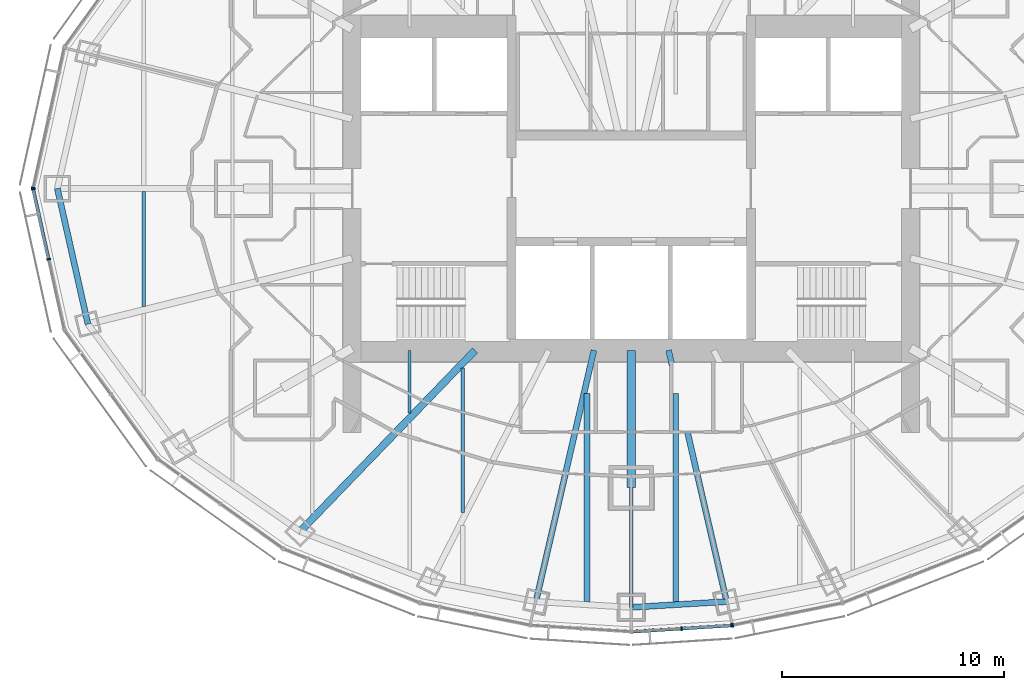
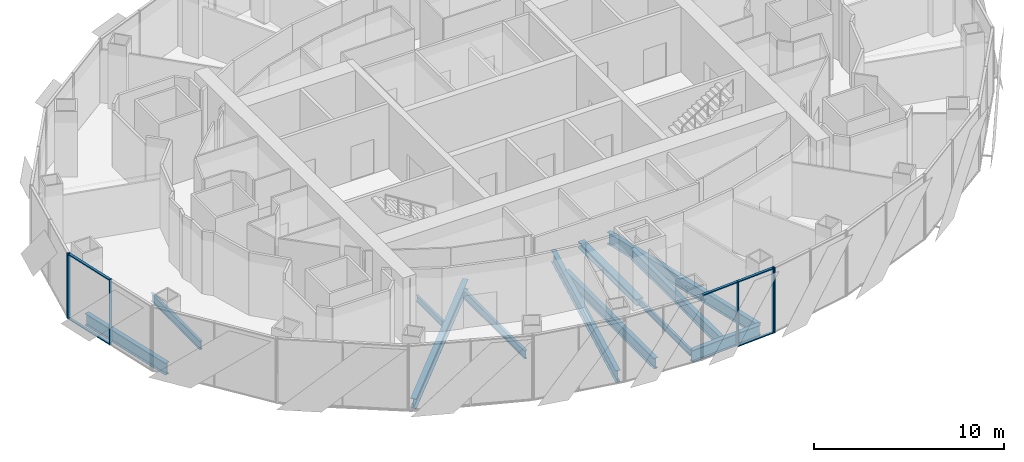
# One storey, part 3 of 19: 12 beams, 11 members, 4 elements without a shape of their own.
"""IFC4 building model written with IfcOpenShell, lengths in metres."""

from ifc_helpers import new_model, si_unit, direction, frame, origin, origin_2d, place, context, subcontext, project, spatial, rectangle, i_section, extrude, material, material_profile, profile_set, type_object, element, aggregate, save


model = new_model("IFC4")

# Units and contexts
model_context = context("Model", 3, precision=1e-05, world=origin(), true_north=direction((0.0, 1.0)))
body_context = subcontext(model_context, "Body", "Model", "MODEL_VIEW")
ifc_project = project(units=[si_unit("LENGTHUNIT", "METRE"), si_unit("AREAUNIT", "SQUARE_METRE"), si_unit("VOLUMEUNIT", "CUBIC_METRE"), si_unit("PLANEANGLEUNIT", "RADIAN"), si_unit("MASSUNIT", "GRAM", prefix="KILO")], contexts=[model_context])

# Site, building, storey
site_placement = place(None, origin())
site = spatial("IfcSite", under=ifc_project, at=site_placement, CompositionType="ELEMENT")
building_placement = place(site_placement, origin())
building = spatial("IfcBuilding", under=site, at=building_placement, Name="Lantaw Convention Tower", CompositionType="ELEMENT")
storey_placement = place(building_placement, frame((0.0, 0.0, 249.39990234375)))
storey = spatial("IfcBuildingStorey", under=building, at=storey_placement, Name="L58", CompositionType="ELEMENT", Elevation=249.39990234375)

# Beams
ifc_material_1 = material(Name="Steel ASTM A992", Category="steel")
ifc_material_profile_1 = material_profile(ifc_material_1, i_section(OverallWidth=0.2666015625, OverallDepth=0.76953125, WebThickness=0.015625, FlangeThickness=0.025390625, FilletRadius=0.0126953125, at=origin_2d()), Name="W30X132")
ifc_profile_set_1 = profile_set([ifc_material_profile_1], Name="Steel ASTM A992")
beam_type_1 = type_object("IfcBeamType", Name="Beam E W30X132", PredefinedType="SPANDREL", material=ifc_profile_set_1)
beam_1_placement = place(storey_placement, frame((-25.89990234375, 0.0, -0.53466796875), z_axis=(0.219857926596, -0.97553190215, 0.0), x_axis=(0.97553190215, 0.219857926596, 0.0)))
element("IfcBeam", 1, at=beam_1_placement, inside=storey, type_object=beam_type_1, Name="Edge beam 13", PredefinedType="SPANDREL", context=body_context, shape_type="SweptSolid", body=[
    extrude(i_section(OverallWidth=0.2666015625, OverallDepth=0.76953125, WebThickness=0.015625, FlangeThickness=0.025390625, FilletRadius=0.0126953125, at=origin_2d()), origin(), (0.0, 0.0, 1.0), 6.267333984375),
])
beam_2_placement = place(storey_placement, frame((0.0, -18.89990234375, -0.53466796875), z_axis=(0.998210730897, 0.059794119452, 0.0), x_axis=(-0.059794119452, 0.998210730897, 0.0)))
element("IfcBeam", 2, at=beam_2_placement, inside=storey, type_object=beam_type_1, Name="Edge beam 19", PredefinedType="SPANDREL", context=body_context, shape_type="SweptSolid", body=[
    extrude(i_section(OverallWidth=0.2666015625, OverallDepth=0.76953125, WebThickness=0.015625, FlangeThickness=0.025390625, FilletRadius=0.0126953125, at=origin_2d()), origin(), (0.0, 0.0, 1.0), 4.311767578125),
])
ifc_material_profile_2 = material_profile(ifc_material_1, i_section(OverallWidth=0.140380859375, OverallDepth=0.40380859375, WebThickness=0.007080078125, FlangeThickness=0.01123046875, FilletRadius=0.01025390625, at=origin_2d()), Name="W16X31")
ifc_profile_set_2 = profile_set([ifc_material_profile_2], Name="Steel ASTM A992")
beam_type_2 = type_object("IfcBeamType", Name="Beam G W16X31", PredefinedType="BEAM", material=ifc_profile_set_2)
beam_3_placement = place(storey_placement, frame((0.0, -13.5, -0.351806640625), z_axis=(0.0, -1.0, 0.0), x_axis=(1.0, 0.0, 0.0)))
element("IfcBeam", 3, at=beam_3_placement, inside=storey, type_object=beam_type_2, Name="Floor girder on ray 19", PredefinedType="BEAM", context=body_context, shape_type="SweptSolid", body=[
    extrude(i_section(OverallWidth=0.140380859375, OverallDepth=0.40380859375, WebThickness=0.007080078125, FlangeThickness=0.01123046875, FilletRadius=0.01025390625, at=origin_2d()), origin(), (0.0, 0.0, 1.0), 5.39990234375),
])
ifc_material_profile_3 = material_profile(ifc_material_1, i_section(OverallWidth=0.32763671875, OverallDepth=0.64013671875, WebThickness=0.01904296875, FlangeThickness=0.033935546875, FilletRadius=0.0126953125, at=origin_2d()), Name="W24X176")
ifc_profile_set_3 = profile_set([ifc_material_profile_3], Name="Steel ASTM A992")
beam_type_3 = type_object("IfcBeamType", Name="Beam G W24X176", PredefinedType="BEAM", material=ifc_profile_set_3)
beam_4_placement = place(storey_placement, frame((-7.049560546875, -7.300048828125, -0.469970703125), z_axis=(-0.694657766726, -0.719340383356, 0.0), x_axis=(0.719340383356, -0.694657766726, 0.0)))
element("IfcBeam", 4, at=beam_4_placement, inside=storey, type_object=beam_type_3, Name="Floor girder on ray 16", PredefinedType="BEAM", context=body_context, shape_type="SweptSolid", body=[
    extrude(i_section(OverallWidth=0.32763671875, OverallDepth=0.64013671875, WebThickness=0.01904296875, FlangeThickness=0.033935546875, FilletRadius=0.0126953125, at=origin_2d()), origin(), (0.0, 0.0, 1.0), 11.364990234375),
])
ifc_material_profile_4 = material_profile(ifc_material_1, i_section(OverallWidth=0.2666015625, OverallDepth=0.7568359375, WebThickness=0.013916015625, FlangeThickness=0.019287109375, FilletRadius=0.0126953125, at=origin_2d()), Name="W30X108")
ifc_profile_set_4 = profile_set([ifc_material_profile_4], Name="Steel ASTM A992")
beam_type_4 = type_object("IfcBeamType", Name="Beam G W30X108", PredefinedType="BEAM", material=ifc_profile_set_4)
for number, where, z_axis, x_axis, name in (
    (5, (-1.685302734375, -7.300048828125, -0.5283203125), (-0.224962134377, -0.974367506692, 0.0), (0.974367506692, -0.224962134377, 0.0), "Floor girder on ray 18"),
    (6, (1.685302734375, -7.300048828125, -0.5283203125), (0.224962134377, -0.974367506692, 0.0), (0.974367506692, 0.224962134377, 0.0), "Floor girder on ray 20"),
):
    element("IfcBeam", number, at=place(storey_placement, frame(where, z_axis=z_axis, x_axis=x_axis)), inside=storey, type_object=beam_type_4, Name=name, PredefinedType="BEAM", context=body_context, shape_type="SweptSolid", body=[
        extrude(i_section(OverallWidth=0.2666015625, OverallDepth=0.7568359375, WebThickness=0.013916015625, FlangeThickness=0.019287109375, FilletRadius=0.0126953125, at=origin_2d()), origin(), (0.0, 0.0, 1.0), 11.640380859375),
    ])
ifc_material_profile_5 = material_profile(ifc_material_1, i_section(OverallWidth=0.40380859375, OverallDepth=0.406494140625, WebThickness=0.027099609375, FlangeThickness=0.043701171875, FilletRadius=0.01513671875, at=origin_2d()), Name="W14X233")
ifc_profile_set_5 = profile_set([ifc_material_profile_5], Name="Steel ASTM A992")
beam_type_5 = type_object("IfcBeamType", Name="Beam GM W14X233", PredefinedType="BEAM", material=ifc_profile_set_5)
beam_5_placement = place(storey_placement, frame((0.0, -7.300048828125, -0.35302734375), z_axis=(0.0, -1.0, 0.0), x_axis=(1.0, 0.0, 0.0)))
element("IfcBeam", 7, at=beam_5_placement, inside=storey, type_object=beam_type_5, Name="Core link beam on ray 19", PredefinedType="BEAM", context=body_context, shape_type="SweptSolid", body=[
    extrude(i_section(OverallWidth=0.40380859375, OverallDepth=0.406494140625, WebThickness=0.027099609375, FlangeThickness=0.043701171875, FilletRadius=0.01513671875, at=origin_2d()), origin(), (0.0, 0.0, 1.0), 6.199951171875),
])
ifc_material_profile_6 = material_profile(ifc_material_1, i_section(OverallWidth=0.140380859375, OverallDepth=0.40380859375, WebThickness=0.007080078125, FlangeThickness=0.01123046875, FilletRadius=0.01025390625, at=origin_2d()), Name="W16X31")
ifc_profile_set_6 = profile_set([ifc_material_profile_6], Name="Steel ASTM A992")
beam_type_6 = type_object("IfcBeamType", Name="Beam J W16X31", PredefinedType="JOIST", material=ifc_profile_set_6)
beam_6_placement = place(storey_placement, frame((-10.0, -10.119384765625, -0.351806640625), z_axis=(0.0, 1.0, 0.0), x_axis=(-1.0, 0.0, 0.0)))
element("IfcBeam", 8, at=beam_6_placement, inside=storey, type_object=beam_type_6, Name="Floor joist", PredefinedType="JOIST", context=body_context, shape_type="SweptSolid", body=[
    extrude(i_section(OverallWidth=0.140380859375, OverallDepth=0.40380859375, WebThickness=0.007080078125, FlangeThickness=0.01123046875, FilletRadius=0.01025390625, at=origin_2d()), origin(), (0.0, 0.0, 1.0), 2.8193359375),
])
ifc_material_profile_7 = material_profile(ifc_material_1, i_section(OverallWidth=0.1650390625, OverallDepth=0.52587890625, WebThickness=0.0087890625, FlangeThickness=0.011474609375, FilletRadius=0.0126953125, at=origin_2d()), Name="W21X44")
ifc_profile_set_7 = profile_set([ifc_material_profile_7], Name="Steel ASTM A992")
beam_type_7 = type_object("IfcBeamType", Name="Beam J W21X44", PredefinedType="JOIST", material=ifc_profile_set_7)
beam_7_placement = place(storey_placement, frame((-22.0, -5.326904296875, -0.412841796875), z_axis=(0.0, 1.0, 0.0), x_axis=(-1.0, 0.0, 0.0)))
element("IfcBeam", 9, at=beam_7_placement, inside=storey, type_object=beam_type_7, Name="Floor joist", PredefinedType="JOIST", context=body_context, shape_type="SweptSolid", body=[
    extrude(i_section(OverallWidth=0.1650390625, OverallDepth=0.52587890625, WebThickness=0.0087890625, FlangeThickness=0.011474609375, FilletRadius=0.0126953125, at=origin_2d()), origin(), (0.0, 0.0, 1.0), 5.199951171875),
])
beam_8_placement = place(storey_placement, frame((-7.60009765625, -14.6220703125, -0.412841796875), z_axis=(0.0, 1.0, 0.0), x_axis=(-1.0, 0.0, 0.0)))
element("IfcBeam", 10, at=beam_8_placement, inside=storey, type_object=beam_type_7, Name="Floor joist", PredefinedType="JOIST", context=body_context, shape_type="SweptSolid", body=[
    extrude(i_section(OverallWidth=0.1650390625, OverallDepth=0.52587890625, WebThickness=0.0087890625, FlangeThickness=0.011474609375, FilletRadius=0.0126953125, at=origin_2d()), origin(), (0.0, 0.0, 1.0), 6.51611328125),
])
ifc_material_profile_8 = material_profile(ifc_material_1, i_section(OverallWidth=0.25390625, OverallDepth=0.683349609375, WebThickness=0.012451171875, FlangeThickness=0.01904296875, FilletRadius=0.01513671875, at=origin_2d()), Name="W27X94")
ifc_profile_set_8 = profile_set([ifc_material_profile_8], Name="Steel ASTM A992")
beam_type_8 = type_object("IfcBeamType", Name="Beam J W27X94", PredefinedType="JOIST", material=ifc_profile_set_8)
for number, where, z_axis, x_axis, name in (
    (11, (-2.0, -18.646484375, -0.491455078125), (0.0, 1.0, 0.0), (-1.0, 0.0, 0.0), "Floor joist"),
    (12, (2.0, -18.646484375, -0.491455078125), (0.0, 1.0, 0.0), (-1.0, 0.0, 0.0), "Floor joist"),
):
    element("IfcBeam", number, at=place(storey_placement, frame(where, z_axis=z_axis, x_axis=x_axis)), inside=storey, type_object=beam_type_8, Name=name, PredefinedType="JOIST", context=body_context, shape_type="SweptSolid", body=[
        extrude(i_section(OverallWidth=0.25390625, OverallDepth=0.683349609375, WebThickness=0.012451171875, FlangeThickness=0.01904296875, FilletRadius=0.01513671875, at=origin_2d()), origin(), (0.0, 0.0, 1.0), 9.390625),
    ])

# Curtain wall, member
ifc_material_2 = material(Name="Aluminium framed curtain wall", Category="aluminium")
curtain_wall_type = type_object("IfcCurtainWallType", Name="Office curtain wall high rise, pale aluminium", PredefinedType="USERDEFINED", material=ifc_material_2)
curtain_wall_1_placement = place(storey_placement, origin())
curtain_wall_1 = element("IfcCurtainWall", 13, at=curtain_wall_1_placement, inside=storey, type_object=curtain_wall_type, Name="Office curtain wall high rise, pale aluminium L58", ObjectType="UNITISED CURTAIN WALL", PredefinedType="USERDEFINED")
ifc_material_3 = material(Name="Aluminium 6063-T6", Category="aluminium")
ifc_material_profile_9 = material_profile(ifc_material_3, rectangle(XDim=0.179931640625, YDim=0.06494140625, at=origin_2d()), Name="CW-O2 mullion 65x180")
ifc_profile_set_9 = profile_set([ifc_material_profile_9], Name="Aluminium 6063-T6")
member_type_1 = type_object("IfcMemberType", Name="CW-O2 mullion 65x180", PredefinedType="MULLION", material=ifc_profile_set_9)
member_1_placement = place(storey_placement, frame((-26.992919921875, 0.03173828125, -0.14990234375), z_axis=(0.0, 0.0, 1.0), x_axis=(0.976417396437, -0.215891333626, 0.0)))
member_1 = element("IfcMember", 14, at=member_1_placement, type_object=member_type_1, Name="CW-O2 mullion 3", PredefinedType="MULLION", context=body_context, shape_type="SweptSolid", body=[
    extrude(rectangle(XDim=0.179931640625, YDim=0.06494140625, at=origin_2d()), origin(), (0.0, 0.0, 1.0), 4.199951171875),
])
aggregate(curtain_wall_1, [member_1])

# Curtain wall, members
curtain_wall_2_placement = place(storey_placement, origin())
curtain_wall_2 = element("IfcCurtainWall", 15, at=curtain_wall_2_placement, inside=storey, type_object=curtain_wall_type, Name="Office curtain wall high rise, pale aluminium L58", ObjectType="UNITISED CURTAIN WALL", PredefinedType="USERDEFINED")
member_2_placement = place(storey_placement, frame((-26.992919921875, -0.03173828125, -0.14990234375), z_axis=(0.0, 0.0, 1.0), x_axis=(0.976417396437, 0.215891333626, 0.0)))
member_2 = element("IfcMember", 16, at=member_2_placement, type_object=member_type_1, Name="CW-O2 mullion 1", PredefinedType="MULLION", context=body_context, shape_type="SweptSolid", body=[
    extrude(rectangle(XDim=0.179931640625, YDim=0.06494140625, at=origin_2d()), origin(), (0.0, 0.0, 1.0), 4.199951171875),
])
member_3_placement = place(storey_placement, frame((-26.294677734375, -3.190185546875, -0.14990234375), z_axis=(0.0, 0.0, 1.0), x_axis=(0.976417396437, 0.215891333626, 0.0)))
member_3 = element("IfcMember", 17, at=member_3_placement, type_object=member_type_1, Name="CW-O2 mullion 2", PredefinedType="MULLION", context=body_context, shape_type="SweptSolid", body=[
    extrude(rectangle(XDim=0.179931640625, YDim=0.06494140625, at=origin_2d()), origin(), (0.0, 0.0, 1.0), 4.199951171875),
])

curtain_wall_3_placement = place(storey_placement, origin())
curtain_wall_3 = element("IfcCurtainWall", 18, at=curtain_wall_3_placement, inside=storey, type_object=curtain_wall_type, Name="Office curtain wall high rise, pale aluminium L58", ObjectType="UNITISED CURTAIN WALL", PredefinedType="USERDEFINED")
member_4_placement = place(storey_placement, frame((2.275634765625, -19.85693359375, -0.14990234375), z_axis=(0.0, 0.0, 1.0), x_axis=(-0.062757983884, 0.998028774865, 0.0)))
member_4 = element("IfcMember", 19, at=member_4_placement, type_object=member_type_1, Name="CW-O2 mullion 2", PredefinedType="MULLION", context=body_context, shape_type="SweptSolid", body=[
    extrude(rectangle(XDim=0.179931640625, YDim=0.06494140625, at=origin_2d()), origin(), (0.0, 0.0, 1.0), 4.199951171875),
])
member_5_placement = place(storey_placement, frame((4.518798828125, -19.7158203125, -0.14990234375), z_axis=(0.0, 0.0, 1.0), x_axis=(-0.062757983884, 0.998028774865, 0.0)))
member_5 = element("IfcMember", 20, at=member_5_placement, type_object=member_type_1, Name="CW-O2 mullion 3", PredefinedType="MULLION", context=body_context, shape_type="SweptSolid", body=[
    extrude(rectangle(XDim=0.179931640625, YDim=0.06494140625, at=origin_2d()), origin(), (0.0, 0.0, 1.0), 4.199951171875),
])

# Curtain wall, member
curtain_wall_4_placement = place(storey_placement, origin())
curtain_wall_4 = element("IfcCurtainWall", 21, at=curtain_wall_4_placement, inside=storey, type_object=curtain_wall_type, Name="Office curtain wall high rise, pale aluminium L58", ObjectType="UNITISED CURTAIN WALL", PredefinedType="USERDEFINED")
member_6_placement = place(storey_placement, frame((4.583251953125, -19.70751953125, -0.14990234375), z_axis=(0.0, 0.0, 1.0), x_axis=(-0.197183095987, 0.980366679695, 0.0)))
member_6 = element("IfcMember", 22, at=member_6_placement, type_object=member_type_1, Name="CW-O2 mullion 1", PredefinedType="MULLION", context=body_context, shape_type="SweptSolid", body=[
    extrude(rectangle(XDim=0.179931640625, YDim=0.06494140625, at=origin_2d()), origin(), (0.0, 0.0, 1.0), 4.199951171875),
])
aggregate(curtain_wall_4, [member_6])

# Member
ifc_material_profile_10 = material_profile(ifc_material_3, rectangle(XDim=0.14990234375, YDim=0.06494140625, at=origin_2d()), Name="CW-O2 transom 65x150")
ifc_profile_set_10 = profile_set([ifc_material_profile_10], Name="Aluminium 6063-T6")
member_type_2 = type_object("IfcMemberType", Name="CW-O2 transom 65x150", PredefinedType="USERDEFINED", material=ifc_profile_set_10)
member_7_placement = place(storey_placement, frame((-26.986083984375, -0.0634765625, -0.117431640625), z_axis=(0.215894607042, -0.976416672661, 0.0), x_axis=(0.976416672661, 0.215894607042, 0.0)))
member_7 = element("IfcMember", 23, at=member_7_placement, type_object=member_type_2, Name="CW-O2 transom 1.1", ObjectType="TRANSOM", PredefinedType="USERDEFINED", context=body_context, shape_type="SweptSolid", body=[
    extrude(rectangle(XDim=0.14990234375, YDim=0.06494140625, at=origin_2d()), origin(), (0.0, 0.0, 1.0), 3.169677734375),
])

member_8_placement = place(storey_placement, frame((-26.986083984375, -0.0634765625, 4.017578125), z_axis=(0.215894607042, -0.976416672661, 0.0), x_axis=(0.976416672661, 0.215894607042, 0.0)))
member_8 = element("IfcMember", 24, at=member_8_placement, type_object=member_type_2, Name="CW-O2 transom 1.2", ObjectType="TRANSOM", PredefinedType="USERDEFINED", context=body_context, shape_type="SweptSolid", body=[
    extrude(rectangle(XDim=0.14990234375, YDim=0.06494140625, at=origin_2d()), origin(), (0.0, 0.0, 1.0), 3.169677734375),
])

aggregate(curtain_wall_2, [member_2, member_3, member_7, member_8])

member_9_placement = place(storey_placement, frame((0.06494140625, -19.995849609375, 4.017578125), z_axis=(0.998029003644, 0.062754345555, 0.0), x_axis=(-0.062754345555, 0.998029003644, 0.0)))
member_9 = element("IfcMember", 25, at=member_9_placement, type_object=member_type_2, Name="CW-O2 transom 1.2", ObjectType="TRANSOM", PredefinedType="USERDEFINED", context=body_context, shape_type="SweptSolid", body=[
    extrude(rectangle(XDim=0.14990234375, YDim=0.06494140625, at=origin_2d()), origin(), (0.0, 0.0, 1.0), 2.1826171875),
])

member_10_placement = place(storey_placement, frame((2.30810546875, -19.85498046875, -0.117431640625), z_axis=(0.998021991509, 0.062865765437, 0.0), x_axis=(-0.062865765437, 0.998021991509, 0.0)))
member_10 = element("IfcMember", 26, at=member_10_placement, type_object=member_type_2, Name="CW-O2 transom 2.1", ObjectType="TRANSOM", PredefinedType="USERDEFINED", context=body_context, shape_type="SweptSolid", body=[
    extrude(rectangle(XDim=0.14990234375, YDim=0.06494140625, at=origin_2d()), origin(), (0.0, 0.0, 1.0), 2.1826171875),
])

member_11_placement = place(storey_placement, frame((2.30810546875, -19.85498046875, 4.017578125), z_axis=(0.998021991509, 0.062865765437, 0.0), x_axis=(-0.062865765437, 0.998021991509, 0.0)))
member_11 = element("IfcMember", 27, at=member_11_placement, type_object=member_type_2, Name="CW-O2 transom 2.2", ObjectType="TRANSOM", PredefinedType="USERDEFINED", context=body_context, shape_type="SweptSolid", body=[
    extrude(rectangle(XDim=0.14990234375, YDim=0.06494140625, at=origin_2d()), origin(), (0.0, 0.0, 1.0), 2.1826171875),
])

aggregate(curtain_wall_3, [member_4, member_5, member_9, member_10, member_11])

save(model, "model.ifc")
